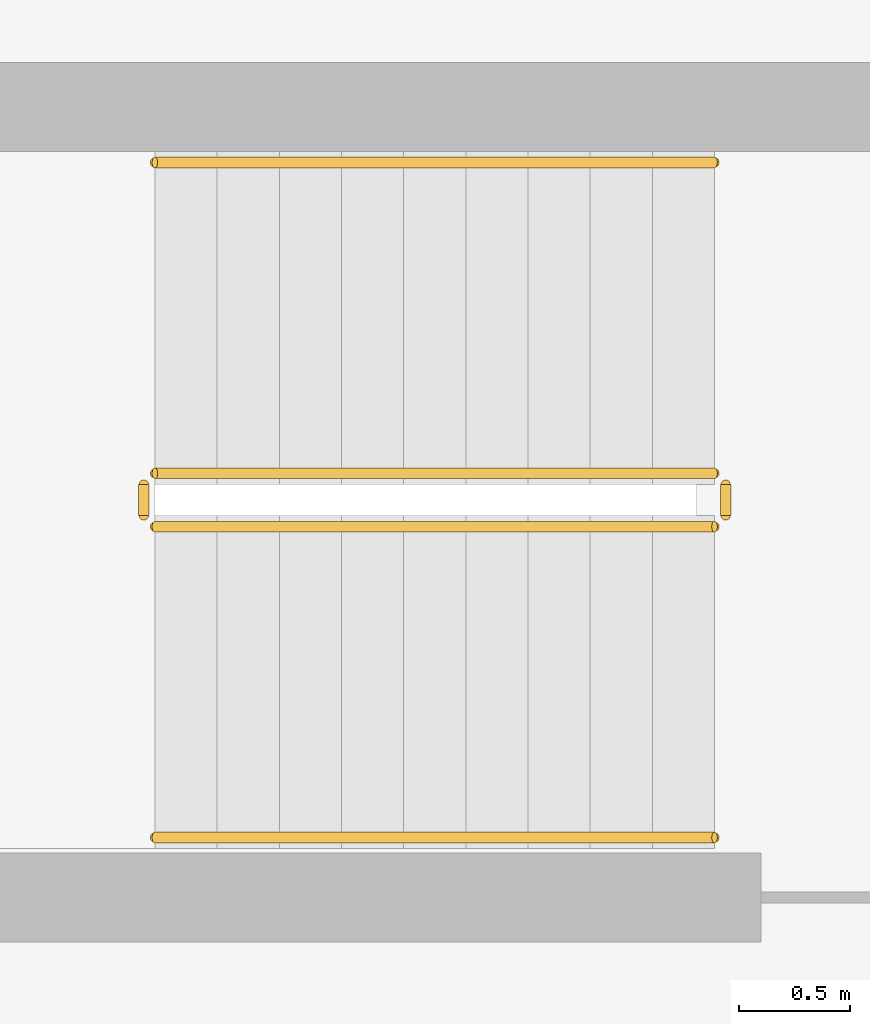
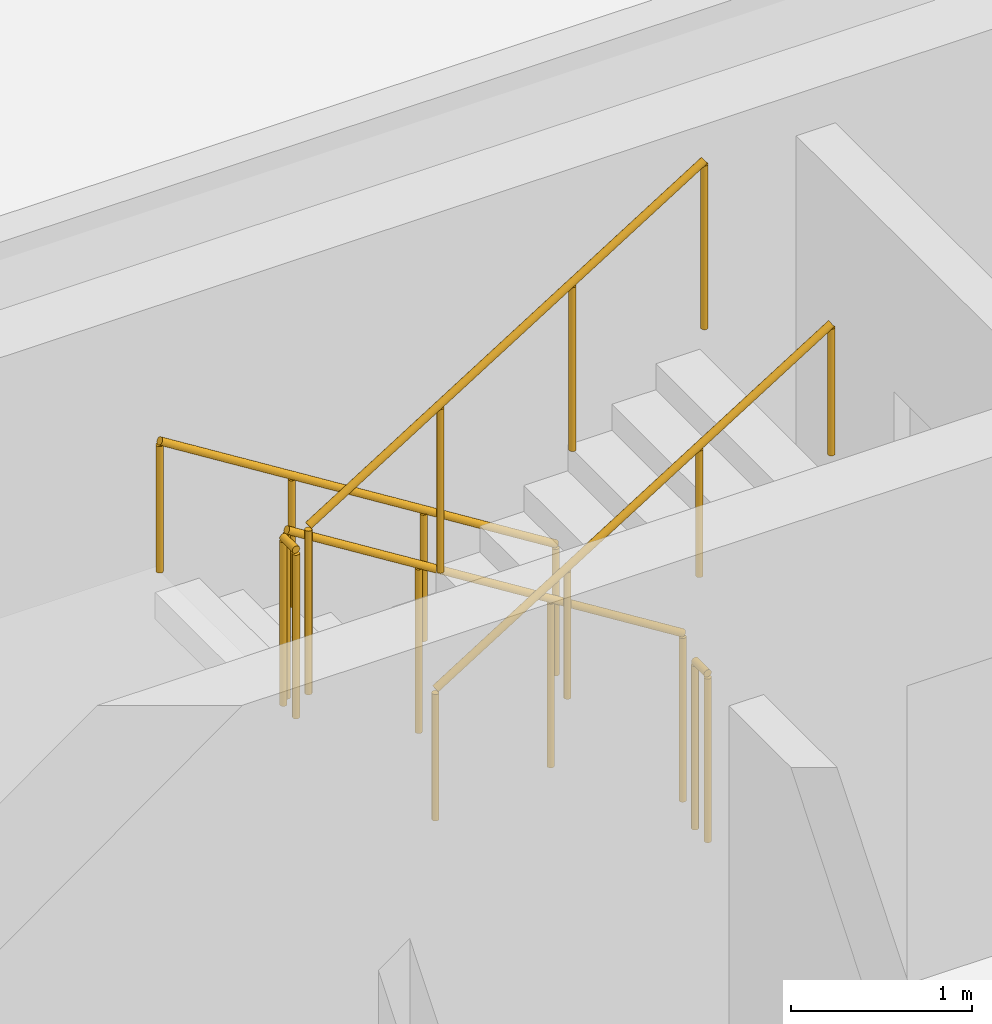
# One storey, part 24 of 26: 6 railings.
"""IFC4 building model written with IfcOpenShell, lengths in metres."""

from ifc_helpers import new_model, si_unit, derived_unit, direction, frame, origin, origin_2d, place, context, subcontext, project, spatial, circle, extrude, material, type_object, element, save


model = new_model("IFC4")

# Units and contexts
model_context = context("Model", 3, precision=1e-05, world=origin(), true_north=direction((0.0, 1.0)))
body_context = subcontext(model_context, "Body", "Model", "MODEL_VIEW")
ifc_project = project(units=[si_unit("LENGTHUNIT", "METRE"), si_unit("AREAUNIT", "SQUARE_METRE"), si_unit("VOLUMEUNIT", "CUBIC_METRE"), si_unit("PLANEANGLEUNIT", "RADIAN"), si_unit("MASSUNIT", "GRAM", prefix="KILO"), derived_unit("THERMALTRANSMITTANCEUNIT", [(si_unit("POWERUNIT", "WATT"), 1), (si_unit("LENGTHUNIT", "METRE"), -2), (si_unit("THERMODYNAMICTEMPERATUREUNIT", "KELVIN"), -1)])], contexts=[model_context])

# Site, building, storey
site_placement = place(None, origin())
site = spatial("IfcSite", under=ifc_project, at=site_placement, CompositionType="ELEMENT")
building_placement = place(site_placement, origin())
building = spatial("IfcBuilding", under=site, at=building_placement, Name="Kivonza Crest Hotel", CompositionType="ELEMENT")
storey_placement = place(building_placement, frame((0.0, 0.0, 98.5)))
storey = spatial("IfcBuildingStorey", under=building, at=storey_placement, Name="L26", CompositionType="ELEMENT", Elevation=98.5)

# Railings
ifc_material_1 = material(Name="Brushed stainless steel handrail", Category="steel")
railing_type_1 = type_object("IfcRailingType", Name="RL-HAND-900", PredefinedType="HANDRAIL", material=ifc_material_1)
railing_1_placement = place(storey_placement, frame((12.239990234375, 36.110107421875, 0.175048828125)))
element("IfcRailing", 1, at=railing_1_placement, inside=storey, type_object=railing_type_1, Name="L26 ST-T1-N stair handrail 1", PredefinedType="HANDRAIL", context=body_context, shape_type="SweptSolid", body=[
    extrude(circle(Radius=0.02392578125, at=origin_2d()), frame((0.0, 0.0, 0.8759765625), z_axis=(-0.848007534815, 0.0, 0.529984170421), x_axis=(0.0, -1.0, 0.0)), (0.0, 0.0, 1.0), 2.9716796875),
    extrude(circle(Radius=0.02099609375, at=origin_2d()), origin(), (0.0, 0.0, 1.0), 0.851806640625),
    extrude(circle(Radius=0.02099609375, at=origin_2d()), frame((-0.840087890625, 0.0, 0.52490234375)), (0.0, 0.0, 1.0), 0.851806640625),
    extrude(circle(Radius=0.02099609375, at=origin_2d()), frame((-1.679931640625, 0.0, 1.050048828125)), (0.0, 0.0, 1.0), 0.851806640625),
    extrude(circle(Radius=0.02099609375, at=origin_2d()), frame((-2.52001953125, 0.0, 1.574951171875)), (0.0, 0.0, 1.0), 0.851806640625),
])
railing_2_placement = place(storey_placement, frame((9.719970703125, 33.070068359375, 1.925048828125)))
element("IfcRailing", 2, at=railing_2_placement, inside=storey, type_object=railing_type_1, Name="L26 ST-T1-N stair handrail 2", PredefinedType="HANDRAIL", context=body_context, shape_type="SweptSolid", body=[
    extrude(circle(Radius=0.02392578125, at=origin_2d()), frame((0.0, 0.0, 0.8759765625), z_axis=(0.848007534815, 0.0, 0.529984170421), x_axis=(0.0, 1.0, 0.0)), (0.0, 0.0, 1.0), 2.9716796875),
    extrude(circle(Radius=0.02099609375, at=origin_2d()), origin(), (0.0, 0.0, 1.0), 0.851806640625),
    extrude(circle(Radius=0.02099609375, at=origin_2d()), frame((0.840087890625, 0.0, 0.52490234375)), (0.0, 0.0, 1.0), 0.851806640625),
    extrude(circle(Radius=0.02099609375, at=origin_2d()), frame((1.679931640625, 0.0, 1.050048828125)), (0.0, 0.0, 1.0), 0.851806640625),
    extrude(circle(Radius=0.02099609375, at=origin_2d()), frame((2.52001953125, 0.0, 1.574951171875)), (0.0, 0.0, 1.0), 0.851806640625),
])
ifc_material_2 = material(Name="Painted steel balustrade", Category="steel")
railing_type_2 = type_object("IfcRailingType", Name="RL-STAIR-1150", PredefinedType="BALUSTRADE", material=ifc_material_2)
railing_3_placement = place(storey_placement, frame((12.239990234375, 34.7099609375, 0.175048828125)))
element("IfcRailing", 3, at=railing_3_placement, inside=storey, type_object=railing_type_2, Name="L26 ST-T1-N stair guard 1", PredefinedType="BALUSTRADE", context=body_context, shape_type="SweptSolid", body=[
    extrude(circle(Radius=0.02392578125, at=origin_2d()), frame((0.0, 0.0, 1.1259765625), z_axis=(-0.848007534815, 0.0, 0.529984170421), x_axis=(0.0, -1.0, 0.0)), (0.0, 0.0, 1.0), 2.9716796875),
    extrude(circle(Radius=0.02099609375, at=origin_2d()), origin(), (0.0, 0.0, 1.0), 1.101806640625),
    extrude(circle(Radius=0.02099609375, at=origin_2d()), frame((-0.840087890625, 0.0, 0.52490234375)), (0.0, 0.0, 1.0), 1.101806640625),
    extrude(circle(Radius=0.02099609375, at=origin_2d()), frame((-1.679931640625, 0.0, 1.050048828125)), (0.0, 0.0, 1.0), 1.101806640625),
    extrude(circle(Radius=0.02099609375, at=origin_2d()), frame((-2.52001953125, 0.0, 1.574951171875)), (0.0, 0.0, 1.0), 1.101806640625),
])
railing_4_placement = place(storey_placement, frame((9.669921875, 34.659912109375, 1.75)))
element("IfcRailing", 4, at=railing_4_placement, inside=storey, type_object=railing_type_2, Name="L26 ST-T1-N stair guard 2", PredefinedType="BALUSTRADE", context=body_context, shape_type="SweptSolid", body=[
    extrude(circle(Radius=0.02392578125, at=origin_2d()), frame((0.0, 0.0, 1.1259765625), z_axis=(0.0, -1.0, 0.0), x_axis=(1.0, 0.0, 0.0)), (0.0, 0.0, 1.0), 0.139892578125),
    extrude(circle(Radius=0.02099609375, at=origin_2d()), origin(), (0.0, 0.0, 1.0), 1.101806640625),
    extrude(circle(Radius=0.02099609375, at=origin_2d()), frame((0.0, -0.139892578125, 0.0)), (0.0, 0.0, 1.0), 1.101806640625),
])
railing_5_placement = place(storey_placement, frame((9.719970703125, 34.469970703125, 1.925048828125)))
element("IfcRailing", 5, at=railing_5_placement, inside=storey, type_object=railing_type_2, Name="L26 ST-T1-N stair guard 3", PredefinedType="BALUSTRADE", context=body_context, shape_type="SweptSolid", body=[
    extrude(circle(Radius=0.02392578125, at=origin_2d()), frame((0.0, 0.0, 1.1259765625), z_axis=(0.848007534815, 0.0, 0.529984170421), x_axis=(0.0, 1.0, 0.0)), (0.0, 0.0, 1.0), 2.9716796875),
    extrude(circle(Radius=0.02099609375, at=origin_2d()), origin(), (0.0, 0.0, 1.0), 1.101806640625),
    extrude(circle(Radius=0.02099609375, at=origin_2d()), frame((0.840087890625, 0.0, 0.52490234375)), (0.0, 0.0, 1.0), 1.101806640625),
    extrude(circle(Radius=0.02099609375, at=origin_2d()), frame((1.679931640625, 0.0, 1.050048828125)), (0.0, 0.0, 1.0), 1.101806640625),
    extrude(circle(Radius=0.02099609375, at=origin_2d()), frame((2.52001953125, 0.0, 1.574951171875)), (0.0, 0.0, 1.0), 1.101806640625),
])
railing_6_placement = place(storey_placement, frame((12.2900390625, 34.659912109375, 0.0)))
element("IfcRailing", 6, at=railing_6_placement, inside=storey, type_object=railing_type_2, Name="L26 ST-T1-N stair guard 4", PredefinedType="BALUSTRADE", context=body_context, shape_type="SweptSolid", body=[
    extrude(circle(Radius=0.02392578125, at=origin_2d()), frame((0.0, 0.0, 1.1259765625), z_axis=(0.0, -1.0, 0.0), x_axis=(1.0, 0.0, 0.0)), (0.0, 0.0, 1.0), 0.139892578125),
    extrude(circle(Radius=0.02099609375, at=origin_2d()), origin(), (0.0, 0.0, 1.0), 1.101806640625),
    extrude(circle(Radius=0.02099609375, at=origin_2d()), frame((0.0, -0.139892578125, 0.0)), (0.0, 0.0, 1.0), 1.101806640625),
])

save(model, "model.ifc")
